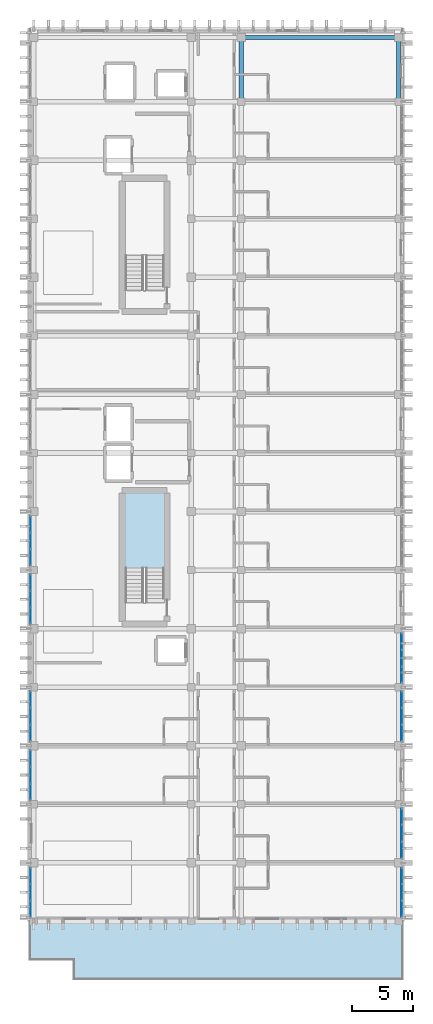
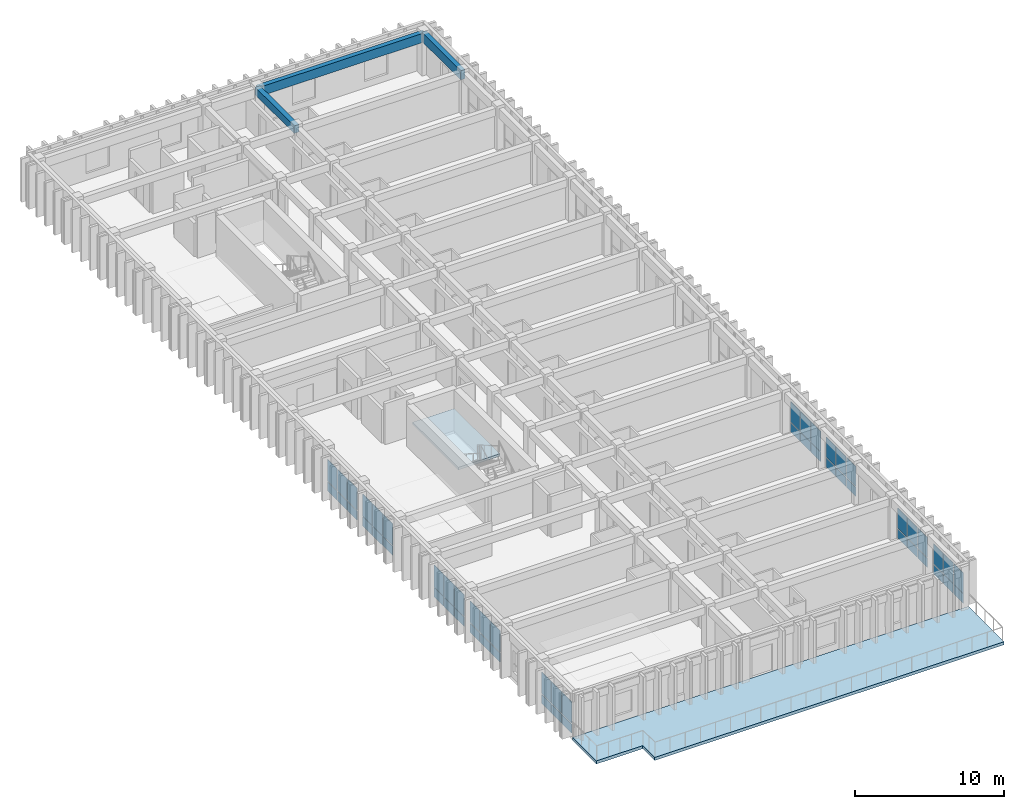
# One storey, part 41 of 53: 54 plates, 3 beams, 2 slabs, 10 elements without a shape of their own.
"""IFC4 building model written with IfcOpenShell, lengths in metres."""

from ifc_helpers import new_model, si_unit, direction, frame, origin, origin_2d, place, context, subcontext, project, spatial, polyline, rectangle, outline, extrude, material, layer, layer_set, material_profile, profile_set, type_object, element, aggregate, save


model = new_model("IFC4")

# Units and contexts
model_context = context("Model", 3, precision=1e-05, world=origin(), true_north=direction((0.0, 1.0)))
body_context = subcontext(model_context, "Body", "Model", "MODEL_VIEW")
ifc_project = project(units=[si_unit("LENGTHUNIT", "METRE"), si_unit("AREAUNIT", "SQUARE_METRE"), si_unit("VOLUMEUNIT", "CUBIC_METRE"), si_unit("PLANEANGLEUNIT", "RADIAN"), si_unit("MASSUNIT", "GRAM", prefix="KILO")], contexts=[model_context])

# Site, building, storey
site_placement = place(None, origin())
site = spatial("IfcSite", under=ifc_project, at=site_placement, CompositionType="ELEMENT")
building_placement = place(site_placement, origin())
building = spatial("IfcBuilding", under=site, at=building_placement, Name="Nakhvara Creek Congress Hotel", CompositionType="ELEMENT")
storey_placement = place(building_placement, frame((0.0, 0.0, 35.39990234375)))
storey = spatial("IfcBuildingStorey", under=building, at=storey_placement, Name="L08", CompositionType="ELEMENT", Elevation=35.39990234375)

# Beams
ifc_material_1 = material(Name="Concrete C40/50", Category="concrete")
ifc_material_profile_1 = material_profile(ifc_material_1, rectangle(XDim=0.3798828125, YDim=0.6201171875, at=origin_2d()), Name="RC-BM 380x620", Category="LoadBearing")
ifc_profile_set_1 = profile_set([ifc_material_profile_1], Name="Concrete C40/50")
beam_type_1 = type_object("IfcBeamType", Name="BM-RC-380X620", PredefinedType="BEAM", material=ifc_profile_set_1)
beam_1_placement = place(storey_placement, frame((166.449951171875, 120.0, 3.050048828125), z_axis=(0.0, 1.0, 0.0), x_axis=(-1.0, 0.0, 0.0)))
element("IfcBeam", 1, at=beam_1_placement, inside=storey, type_object=beam_type_1, Name="Beam B10-L08-2495", PredefinedType="BEAM", context=body_context, shape_type="SweptSolid", body=[
    extrude(rectangle(XDim=0.3798828125, YDim=0.6201171875, at=origin_2d()), origin(), (0.0, 0.0, 1.0), 5.25),
])
ifc_material_profile_2 = material_profile(ifc_material_1, rectangle(XDim=0.35009765625, YDim=0.75, at=origin_2d()), Name="RC-SPANDREL 350x750", Category="LoadBearing")
ifc_profile_set_2 = profile_set([ifc_material_profile_2], Name="Concrete C40/50")
beam_type_2 = type_object("IfcBeamType", Name="BM-SPN-350X750", PredefinedType="SPANDREL", material=ifc_profile_set_2)
beam_2_placement = place(storey_placement, frame((166.449951171875, 125.25, 2.985107421875), z_axis=(1.0, 0.0, 0.0), x_axis=(0.0, 1.0, 0.0)))
element("IfcBeam", 2, at=beam_2_placement, inside=storey, type_object=beam_type_2, Name="Beam SP1-L08-2494", PredefinedType="SPANDREL", context=body_context, shape_type="SweptSolid", body=[
    extrude(rectangle(XDim=0.35009765625, YDim=0.75, at=origin_2d()), origin(), (0.0, 0.0, 1.0), 12.900146484375),
])
beam_3_placement = place(storey_placement, frame((179.35009765625, 120.0, 2.985107421875), z_axis=(0.0, 1.0, 0.0), x_axis=(-1.0, 0.0, 0.0)))
element("IfcBeam", 3, at=beam_3_placement, inside=storey, type_object=beam_type_2, Name="Beam SP1-L08-2510", PredefinedType="SPANDREL", context=body_context, shape_type="SweptSolid", body=[
    extrude(rectangle(XDim=0.35009765625, YDim=0.75, at=origin_2d()), origin(), (0.0, 0.0, 1.0), 5.25),
])

# Curtain wall, plates
ifc_material_2 = material(Name="Bronze-anodised aluminium AW-6063-T6 and double-silver low-E glass", Category="aluminium")
ifc_layer_1 = layer(ifc_material_2, 0.199951171875)
ifc_layer_set_1 = layer_set([ifc_layer_1], Name="Bronze-anodised aluminium AW-6063-T6 and double-silver low-E glass")
curtain_wall_type = type_object("IfcCurtainWallType", Name="CW-HTL-UNIT", PredefinedType="USERDEFINED", material=ifc_layer_set_1)
curtain_wall_1_placement = place(storey_placement, origin())
curtain_wall_1 = element("IfcCurtainWall", 4, at=curtain_wall_1_placement, inside=storey, type_object=curtain_wall_type, Name="Curtain Wall CW275", ObjectType="UNITISED", PredefinedType="USERDEFINED")
ifc_material_3 = material(Name="Double-silver solar-control low-E insulated glass", Category="glass")
plate_type_1 = type_object("IfcPlateType", Name="PNL-GLZ-120X250", PredefinedType="CURTAIN_PANEL", material=ifc_material_3)
plate_1_placement = place(storey_placement, frame((179.60009765625, 56.54052734375, 0.065185546875), z_axis=(0.0, 0.0, 1.0), x_axis=(0.0, -1.0, 0.0)))
plate_1 = element("IfcPlate", 5, at=plate_1_placement, type_object=plate_type_1, Name="CW275 panel 1.1", PredefinedType="CURTAIN_PANEL", context=body_context, shape_type="SweptSolid", body=[
    extrude(rectangle(XDim=1.279052734375, YDim=0.028076171875, at=origin_2d()), origin(), (0.0, 0.0, 1.0), 0.75244140625),
])
plate_2_placement = place(storey_placement, frame((179.60009765625, 56.54052734375, 0.8828125), z_axis=(0.0, 0.0, 1.0), x_axis=(0.0, -1.0, 0.0)))
plate_2 = element("IfcPlate", 6, at=plate_2_placement, type_object=plate_type_1, Name="CW275 panel 1.2", PredefinedType="CURTAIN_PANEL", context=body_context, shape_type="SweptSolid", body=[
    extrude(rectangle(XDim=1.279052734375, YDim=0.028076171875, at=origin_2d()), origin(), (0.0, 0.0, 1.0), 1.654541015625),
])
plate_3_placement = place(storey_placement, frame((179.60009765625, 55.179931640625, 0.065185546875), z_axis=(0.0, 0.0, 1.0), x_axis=(0.0, -1.0, 0.0)))
plate_3 = element("IfcPlate", 7, at=plate_3_placement, type_object=plate_type_1, Name="CW275 panel 2.1", PredefinedType="CURTAIN_PANEL", context=body_context, shape_type="SweptSolid", body=[
    extrude(rectangle(XDim=1.311767578125, YDim=0.028076171875, at=origin_2d()), origin(), (0.0, 0.0, 1.0), 0.75244140625),
])
plate_4_placement = place(storey_placement, frame((179.60009765625, 55.179931640625, 0.8828125), z_axis=(0.0, 0.0, 1.0), x_axis=(0.0, -1.0, 0.0)))
plate_4 = element("IfcPlate", 8, at=plate_4_placement, type_object=plate_type_1, Name="CW275 panel 2.2", PredefinedType="CURTAIN_PANEL", context=body_context, shape_type="SweptSolid", body=[
    extrude(rectangle(XDim=1.311767578125, YDim=0.028076171875, at=origin_2d()), origin(), (0.0, 0.0, 1.0), 1.654541015625),
])
plate_5_placement = place(storey_placement, frame((179.60009765625, 53.819580078125, 0.065185546875), z_axis=(0.0, 0.0, 1.0), x_axis=(0.0, -1.0, 0.0)))
plate_5 = element("IfcPlate", 9, at=plate_5_placement, type_object=plate_type_1, Name="CW275 panel 3.1", PredefinedType="CURTAIN_PANEL", context=body_context, shape_type="SweptSolid", body=[
    extrude(rectangle(XDim=1.279052734375, YDim=0.028076171875, at=origin_2d()), origin(), (0.0, 0.0, 1.0), 0.75244140625),
])
plate_6_placement = place(storey_placement, frame((179.60009765625, 53.819580078125, 0.8828125), z_axis=(0.0, 0.0, 1.0), x_axis=(0.0, -1.0, 0.0)))
plate_6 = element("IfcPlate", 10, at=plate_6_placement, type_object=plate_type_1, Name="CW275 panel 3.2", PredefinedType="CURTAIN_PANEL", context=body_context, shape_type="SweptSolid", body=[
    extrude(rectangle(XDim=1.279052734375, YDim=0.028076171875, at=origin_2d()), origin(), (0.0, 0.0, 1.0), 1.654541015625),
])
aggregate(curtain_wall_1, [plate_1, plate_2, plate_3, plate_4, plate_5, plate_6])

curtain_wall_2_placement = place(storey_placement, origin())
curtain_wall_2 = element("IfcCurtainWall", 11, at=curtain_wall_2_placement, inside=storey, type_object=curtain_wall_type, Name="Curtain Wall CW276", ObjectType="UNITISED", PredefinedType="USERDEFINED")
plate_7_placement = place(storey_placement, frame((149.199951171875, 53.819580078125, 0.065185546875), z_axis=(0.0, 0.0, 1.0), x_axis=(0.0, 1.0, 0.0)))
plate_7 = element("IfcPlate", 12, at=plate_7_placement, type_object=plate_type_1, Name="CW276 panel 1.1", PredefinedType="CURTAIN_PANEL", context=body_context, shape_type="SweptSolid", body=[
    extrude(rectangle(XDim=1.279052734375, YDim=0.028076171875, at=origin_2d()), origin(), (0.0, 0.0, 1.0), 0.75244140625),
])
plate_8_placement = place(storey_placement, frame((149.199951171875, 53.819580078125, 0.8828125), z_axis=(0.0, 0.0, 1.0), x_axis=(0.0, 1.0, 0.0)))
plate_8 = element("IfcPlate", 13, at=plate_8_placement, type_object=plate_type_1, Name="CW276 panel 1.2", PredefinedType="CURTAIN_PANEL", context=body_context, shape_type="SweptSolid", body=[
    extrude(rectangle(XDim=1.279052734375, YDim=0.028076171875, at=origin_2d()), origin(), (0.0, 0.0, 1.0), 1.784423828125),
])
plate_9_placement = place(storey_placement, frame((149.199951171875, 55.179931640625, 0.065185546875), z_axis=(0.0, 0.0, 1.0), x_axis=(0.0, 1.0, 0.0)))
plate_9 = element("IfcPlate", 14, at=plate_9_placement, type_object=plate_type_1, Name="CW276 panel 2.1", PredefinedType="CURTAIN_PANEL", context=body_context, shape_type="SweptSolid", body=[
    extrude(rectangle(XDim=1.311767578125, YDim=0.028076171875, at=origin_2d()), origin(), (0.0, 0.0, 1.0), 0.75244140625),
])
plate_10_placement = place(storey_placement, frame((149.199951171875, 55.179931640625, 0.8828125), z_axis=(0.0, 0.0, 1.0), x_axis=(0.0, 1.0, 0.0)))
plate_10 = element("IfcPlate", 15, at=plate_10_placement, type_object=plate_type_1, Name="CW276 panel 2.2", PredefinedType="CURTAIN_PANEL", context=body_context, shape_type="SweptSolid", body=[
    extrude(rectangle(XDim=1.311767578125, YDim=0.028076171875, at=origin_2d()), origin(), (0.0, 0.0, 1.0), 1.784423828125),
])
plate_11_placement = place(storey_placement, frame((149.199951171875, 56.54052734375, 0.065185546875), z_axis=(0.0, 0.0, 1.0), x_axis=(0.0, 1.0, 0.0)))
plate_11 = element("IfcPlate", 16, at=plate_11_placement, type_object=plate_type_1, Name="CW276 panel 3.1", PredefinedType="CURTAIN_PANEL", context=body_context, shape_type="SweptSolid", body=[
    extrude(rectangle(XDim=1.279052734375, YDim=0.028076171875, at=origin_2d()), origin(), (0.0, 0.0, 1.0), 0.75244140625),
])
plate_12_placement = place(storey_placement, frame((149.199951171875, 56.54052734375, 0.8828125), z_axis=(0.0, 0.0, 1.0), x_axis=(0.0, 1.0, 0.0)))
plate_12 = element("IfcPlate", 17, at=plate_12_placement, type_object=plate_type_1, Name="CW276 panel 3.2", PredefinedType="CURTAIN_PANEL", context=body_context, shape_type="SweptSolid", body=[
    extrude(rectangle(XDim=1.279052734375, YDim=0.028076171875, at=origin_2d()), origin(), (0.0, 0.0, 1.0), 1.784423828125),
])
aggregate(curtain_wall_2, [plate_7, plate_8, plate_9, plate_10, plate_11, plate_12])

curtain_wall_3_placement = place(storey_placement, origin())
curtain_wall_3 = element("IfcCurtainWall", 18, at=curtain_wall_3_placement, inside=storey, type_object=curtain_wall_type, Name="Curtain Wall CW277", ObjectType="UNITISED", PredefinedType="USERDEFINED")
plate_13_placement = place(storey_placement, frame((179.60009765625, 61.38037109375, 0.065185546875), z_axis=(0.0, 0.0, 1.0), x_axis=(0.0, -1.0, 0.0)))
plate_13 = element("IfcPlate", 19, at=plate_13_placement, type_object=plate_type_1, Name="CW277 panel 1.1", PredefinedType="CURTAIN_PANEL", context=body_context, shape_type="SweptSolid", body=[
    extrude(rectangle(XDim=1.279052734375, YDim=0.028076171875, at=origin_2d()), origin(), (0.0, 0.0, 1.0), 0.75244140625),
])
plate_14_placement = place(storey_placement, frame((179.60009765625, 61.38037109375, 0.8828125), z_axis=(0.0, 0.0, 1.0), x_axis=(0.0, -1.0, 0.0)))
plate_14 = element("IfcPlate", 20, at=plate_14_placement, type_object=plate_type_1, Name="CW277 panel 1.2", PredefinedType="CURTAIN_PANEL", context=body_context, shape_type="SweptSolid", body=[
    extrude(rectangle(XDim=1.279052734375, YDim=0.028076171875, at=origin_2d()), origin(), (0.0, 0.0, 1.0), 1.654541015625),
])
plate_15_placement = place(storey_placement, frame((179.60009765625, 60.02001953125, 0.065185546875), z_axis=(0.0, 0.0, 1.0), x_axis=(0.0, -1.0, 0.0)))
plate_15 = element("IfcPlate", 21, at=plate_15_placement, type_object=plate_type_1, Name="CW277 panel 2.1", PredefinedType="CURTAIN_PANEL", context=body_context, shape_type="SweptSolid", body=[
    extrude(rectangle(XDim=1.311767578125, YDim=0.028076171875, at=origin_2d()), origin(), (0.0, 0.0, 1.0), 0.75244140625),
])
plate_16_placement = place(storey_placement, frame((179.60009765625, 60.02001953125, 0.8828125), z_axis=(0.0, 0.0, 1.0), x_axis=(0.0, -1.0, 0.0)))
plate_16 = element("IfcPlate", 22, at=plate_16_placement, type_object=plate_type_1, Name="CW277 panel 2.2", PredefinedType="CURTAIN_PANEL", context=body_context, shape_type="SweptSolid", body=[
    extrude(rectangle(XDim=1.311767578125, YDim=0.028076171875, at=origin_2d()), origin(), (0.0, 0.0, 1.0), 1.654541015625),
])
plate_17_placement = place(storey_placement, frame((179.60009765625, 58.65966796875, 0.065185546875), z_axis=(0.0, 0.0, 1.0), x_axis=(0.0, -1.0, 0.0)))
plate_17 = element("IfcPlate", 23, at=plate_17_placement, type_object=plate_type_1, Name="CW277 panel 3.1", PredefinedType="CURTAIN_PANEL", context=body_context, shape_type="SweptSolid", body=[
    extrude(rectangle(XDim=1.279052734375, YDim=0.028076171875, at=origin_2d()), origin(), (0.0, 0.0, 1.0), 0.75244140625),
])
plate_18_placement = place(storey_placement, frame((179.60009765625, 58.65966796875, 0.8828125), z_axis=(0.0, 0.0, 1.0), x_axis=(0.0, -1.0, 0.0)))
plate_18 = element("IfcPlate", 24, at=plate_18_placement, type_object=plate_type_1, Name="CW277 panel 3.2", PredefinedType="CURTAIN_PANEL", context=body_context, shape_type="SweptSolid", body=[
    extrude(rectangle(XDim=1.279052734375, YDim=0.028076171875, at=origin_2d()), origin(), (0.0, 0.0, 1.0), 1.654541015625),
])
aggregate(curtain_wall_3, [plate_13, plate_14, plate_15, plate_16, plate_17, plate_18])

curtain_wall_4_placement = place(storey_placement, origin())
curtain_wall_4 = element("IfcCurtainWall", 25, at=curtain_wall_4_placement, inside=storey, type_object=curtain_wall_type, Name="Curtain Wall CW278", ObjectType="UNITISED", PredefinedType="USERDEFINED")
plate_19_placement = place(storey_placement, frame((149.199951171875, 63.419677734375, 0.065185546875), z_axis=(0.0, 0.0, 1.0), x_axis=(0.0, 1.0, 0.0)))
plate_19 = element("IfcPlate", 26, at=plate_19_placement, type_object=plate_type_1, Name="CW278 panel 1.1", PredefinedType="CURTAIN_PANEL", context=body_context, shape_type="SweptSolid", body=[
    extrude(rectangle(XDim=1.279052734375, YDim=0.028076171875, at=origin_2d()), origin(), (0.0, 0.0, 1.0), 0.75244140625),
])
plate_20_placement = place(storey_placement, frame((149.199951171875, 63.419677734375, 0.8828125), z_axis=(0.0, 0.0, 1.0), x_axis=(0.0, 1.0, 0.0)))
plate_20 = element("IfcPlate", 27, at=plate_20_placement, type_object=plate_type_1, Name="CW278 panel 1.2", PredefinedType="CURTAIN_PANEL", context=body_context, shape_type="SweptSolid", body=[
    extrude(rectangle(XDim=1.279052734375, YDim=0.028076171875, at=origin_2d()), origin(), (0.0, 0.0, 1.0), 1.784423828125),
])
plate_21_placement = place(storey_placement, frame((149.199951171875, 64.780029296875, 0.065185546875), z_axis=(0.0, 0.0, 1.0), x_axis=(0.0, 1.0, 0.0)))
plate_21 = element("IfcPlate", 28, at=plate_21_placement, type_object=plate_type_1, Name="CW278 panel 2.1", PredefinedType="CURTAIN_PANEL", context=body_context, shape_type="SweptSolid", body=[
    extrude(rectangle(XDim=1.311767578125, YDim=0.028076171875, at=origin_2d()), origin(), (0.0, 0.0, 1.0), 0.75244140625),
])
plate_22_placement = place(storey_placement, frame((149.199951171875, 64.780029296875, 0.8828125), z_axis=(0.0, 0.0, 1.0), x_axis=(0.0, 1.0, 0.0)))
plate_22 = element("IfcPlate", 29, at=plate_22_placement, type_object=plate_type_1, Name="CW278 panel 2.2", PredefinedType="CURTAIN_PANEL", context=body_context, shape_type="SweptSolid", body=[
    extrude(rectangle(XDim=1.311767578125, YDim=0.028076171875, at=origin_2d()), origin(), (0.0, 0.0, 1.0), 1.784423828125),
])
plate_23_placement = place(storey_placement, frame((149.199951171875, 66.140380859375, 0.065185546875), z_axis=(0.0, 0.0, 1.0), x_axis=(0.0, 1.0, 0.0)))
plate_23 = element("IfcPlate", 30, at=plate_23_placement, type_object=plate_type_1, Name="CW278 panel 3.1", PredefinedType="CURTAIN_PANEL", context=body_context, shape_type="SweptSolid", body=[
    extrude(rectangle(XDim=1.279052734375, YDim=0.028076171875, at=origin_2d()), origin(), (0.0, 0.0, 1.0), 0.75244140625),
])
plate_24_placement = place(storey_placement, frame((149.199951171875, 66.140380859375, 0.8828125), z_axis=(0.0, 0.0, 1.0), x_axis=(0.0, 1.0, 0.0)))
plate_24 = element("IfcPlate", 31, at=plate_24_placement, type_object=plate_type_1, Name="CW278 panel 3.2", PredefinedType="CURTAIN_PANEL", context=body_context, shape_type="SweptSolid", body=[
    extrude(rectangle(XDim=1.279052734375, YDim=0.028076171875, at=origin_2d()), origin(), (0.0, 0.0, 1.0), 1.784423828125),
])
aggregate(curtain_wall_4, [plate_19, plate_20, plate_21, plate_22, plate_23, plate_24])

curtain_wall_5_placement = place(storey_placement, origin())
curtain_wall_5 = element("IfcCurtainWall", 32, at=curtain_wall_5_placement, inside=storey, type_object=curtain_wall_type, Name="Curtain Wall CW279", ObjectType="UNITISED", PredefinedType="USERDEFINED")
plate_25_placement = place(storey_placement, frame((179.60009765625, 70.98046875, 0.065185546875), z_axis=(0.0, 0.0, 1.0), x_axis=(0.0, -1.0, 0.0)))
plate_25 = element("IfcPlate", 33, at=plate_25_placement, type_object=plate_type_1, Name="CW279 panel 1.1", PredefinedType="CURTAIN_PANEL", context=body_context, shape_type="SweptSolid", body=[
    extrude(rectangle(XDim=1.279052734375, YDim=0.028076171875, at=origin_2d()), origin(), (0.0, 0.0, 1.0), 0.75244140625),
])
plate_26_placement = place(storey_placement, frame((179.60009765625, 70.98046875, 0.8828125), z_axis=(0.0, 0.0, 1.0), x_axis=(0.0, -1.0, 0.0)))
plate_26 = element("IfcPlate", 34, at=plate_26_placement, type_object=plate_type_1, Name="CW279 panel 1.2", PredefinedType="CURTAIN_PANEL", context=body_context, shape_type="SweptSolid", body=[
    extrude(rectangle(XDim=1.279052734375, YDim=0.028076171875, at=origin_2d()), origin(), (0.0, 0.0, 1.0), 1.654541015625),
])
plate_27_placement = place(storey_placement, frame((179.60009765625, 69.6201171875, 0.065185546875), z_axis=(0.0, 0.0, 1.0), x_axis=(0.0, -1.0, 0.0)))
plate_27 = element("IfcPlate", 35, at=plate_27_placement, type_object=plate_type_1, Name="CW279 panel 2.1", PredefinedType="CURTAIN_PANEL", context=body_context, shape_type="SweptSolid", body=[
    extrude(rectangle(XDim=1.311767578125, YDim=0.028076171875, at=origin_2d()), origin(), (0.0, 0.0, 1.0), 0.75244140625),
])
plate_28_placement = place(storey_placement, frame((179.60009765625, 69.6201171875, 0.8828125), z_axis=(0.0, 0.0, 1.0), x_axis=(0.0, -1.0, 0.0)))
plate_28 = element("IfcPlate", 36, at=plate_28_placement, type_object=plate_type_1, Name="CW279 panel 2.2", PredefinedType="CURTAIN_PANEL", context=body_context, shape_type="SweptSolid", body=[
    extrude(rectangle(XDim=1.311767578125, YDim=0.028076171875, at=origin_2d()), origin(), (0.0, 0.0, 1.0), 1.654541015625),
])
plate_29_placement = place(storey_placement, frame((179.60009765625, 68.259521484375, 0.065185546875), z_axis=(0.0, 0.0, 1.0), x_axis=(0.0, -1.0, 0.0)))
plate_29 = element("IfcPlate", 37, at=plate_29_placement, type_object=plate_type_1, Name="CW279 panel 3.1", PredefinedType="CURTAIN_PANEL", context=body_context, shape_type="SweptSolid", body=[
    extrude(rectangle(XDim=1.279052734375, YDim=0.028076171875, at=origin_2d()), origin(), (0.0, 0.0, 1.0), 0.75244140625),
])
plate_30_placement = place(storey_placement, frame((179.60009765625, 68.259521484375, 0.8828125), z_axis=(0.0, 0.0, 1.0), x_axis=(0.0, -1.0, 0.0)))
plate_30 = element("IfcPlate", 38, at=plate_30_placement, type_object=plate_type_1, Name="CW279 panel 3.2", PredefinedType="CURTAIN_PANEL", context=body_context, shape_type="SweptSolid", body=[
    extrude(rectangle(XDim=1.279052734375, YDim=0.028076171875, at=origin_2d()), origin(), (0.0, 0.0, 1.0), 1.654541015625),
])
aggregate(curtain_wall_5, [plate_25, plate_26, plate_27, plate_28, plate_29, plate_30])

curtain_wall_6_placement = place(storey_placement, origin())
curtain_wall_6 = element("IfcCurtainWall", 39, at=curtain_wall_6_placement, inside=storey, type_object=curtain_wall_type, Name="Curtain Wall CW280", ObjectType="UNITISED", PredefinedType="USERDEFINED")
plate_31_placement = place(storey_placement, frame((149.199951171875, 68.259521484375, 0.065185546875), z_axis=(0.0, 0.0, 1.0), x_axis=(0.0, 1.0, 0.0)))
plate_31 = element("IfcPlate", 40, at=plate_31_placement, type_object=plate_type_1, Name="CW280 panel 1.1", PredefinedType="CURTAIN_PANEL", context=body_context, shape_type="SweptSolid", body=[
    extrude(rectangle(XDim=1.279052734375, YDim=0.028076171875, at=origin_2d()), origin(), (0.0, 0.0, 1.0), 0.75244140625),
])
plate_32_placement = place(storey_placement, frame((149.199951171875, 68.259521484375, 0.8828125), z_axis=(0.0, 0.0, 1.0), x_axis=(0.0, 1.0, 0.0)))
plate_32 = element("IfcPlate", 41, at=plate_32_placement, type_object=plate_type_1, Name="CW280 panel 1.2", PredefinedType="CURTAIN_PANEL", context=body_context, shape_type="SweptSolid", body=[
    extrude(rectangle(XDim=1.279052734375, YDim=0.028076171875, at=origin_2d()), origin(), (0.0, 0.0, 1.0), 1.784423828125),
])
plate_33_placement = place(storey_placement, frame((149.199951171875, 69.6201171875, 0.065185546875), z_axis=(0.0, 0.0, 1.0), x_axis=(0.0, 1.0, 0.0)))
plate_33 = element("IfcPlate", 42, at=plate_33_placement, type_object=plate_type_1, Name="CW280 panel 2.1", PredefinedType="CURTAIN_PANEL", context=body_context, shape_type="SweptSolid", body=[
    extrude(rectangle(XDim=1.311767578125, YDim=0.028076171875, at=origin_2d()), origin(), (0.0, 0.0, 1.0), 0.75244140625),
])
plate_34_placement = place(storey_placement, frame((149.199951171875, 69.6201171875, 0.8828125), z_axis=(0.0, 0.0, 1.0), x_axis=(0.0, 1.0, 0.0)))
plate_34 = element("IfcPlate", 43, at=plate_34_placement, type_object=plate_type_1, Name="CW280 panel 2.2", PredefinedType="CURTAIN_PANEL", context=body_context, shape_type="SweptSolid", body=[
    extrude(rectangle(XDim=1.311767578125, YDim=0.028076171875, at=origin_2d()), origin(), (0.0, 0.0, 1.0), 1.784423828125),
])
plate_35_placement = place(storey_placement, frame((149.199951171875, 70.98046875, 0.065185546875), z_axis=(0.0, 0.0, 1.0), x_axis=(0.0, 1.0, 0.0)))
plate_35 = element("IfcPlate", 44, at=plate_35_placement, type_object=plate_type_1, Name="CW280 panel 3.1", PredefinedType="CURTAIN_PANEL", context=body_context, shape_type="SweptSolid", body=[
    extrude(rectangle(XDim=1.279052734375, YDim=0.028076171875, at=origin_2d()), origin(), (0.0, 0.0, 1.0), 0.75244140625),
])
plate_36_placement = place(storey_placement, frame((149.199951171875, 70.98046875, 0.8828125), z_axis=(0.0, 0.0, 1.0), x_axis=(0.0, 1.0, 0.0)))
plate_36 = element("IfcPlate", 45, at=plate_36_placement, type_object=plate_type_1, Name="CW280 panel 3.2", PredefinedType="CURTAIN_PANEL", context=body_context, shape_type="SweptSolid", body=[
    extrude(rectangle(XDim=1.279052734375, YDim=0.028076171875, at=origin_2d()), origin(), (0.0, 0.0, 1.0), 1.784423828125),
])
aggregate(curtain_wall_6, [plate_31, plate_32, plate_33, plate_34, plate_35, plate_36])

curtain_wall_7_placement = place(storey_placement, origin())
curtain_wall_7 = element("IfcCurtainWall", 46, at=curtain_wall_7_placement, inside=storey, type_object=curtain_wall_type, Name="Curtain Wall CW282", ObjectType="UNITISED", PredefinedType="USERDEFINED")
plate_37_placement = place(storey_placement, frame((149.199951171875, 77.859619140625, 0.065185546875), z_axis=(0.0, 0.0, 1.0), x_axis=(0.0, 1.0, 0.0)))
plate_37 = element("IfcPlate", 47, at=plate_37_placement, type_object=plate_type_1, Name="CW282 panel 1.1", PredefinedType="CURTAIN_PANEL", context=body_context, shape_type="SweptSolid", body=[
    extrude(rectangle(XDim=1.279052734375, YDim=0.028076171875, at=origin_2d()), origin(), (0.0, 0.0, 1.0), 0.75244140625),
])
plate_38_placement = place(storey_placement, frame((149.199951171875, 77.859619140625, 0.8828125), z_axis=(0.0, 0.0, 1.0), x_axis=(0.0, 1.0, 0.0)))
plate_38 = element("IfcPlate", 48, at=plate_38_placement, type_object=plate_type_1, Name="CW282 panel 1.2", PredefinedType="CURTAIN_PANEL", context=body_context, shape_type="SweptSolid", body=[
    extrude(rectangle(XDim=1.279052734375, YDim=0.028076171875, at=origin_2d()), origin(), (0.0, 0.0, 1.0), 1.784423828125),
])
plate_39_placement = place(storey_placement, frame((149.199951171875, 79.219970703125, 0.065185546875), z_axis=(0.0, 0.0, 1.0), x_axis=(0.0, 1.0, 0.0)))
plate_39 = element("IfcPlate", 49, at=plate_39_placement, type_object=plate_type_1, Name="CW282 panel 2.1", PredefinedType="CURTAIN_PANEL", context=body_context, shape_type="SweptSolid", body=[
    extrude(rectangle(XDim=1.311767578125, YDim=0.028076171875, at=origin_2d()), origin(), (0.0, 0.0, 1.0), 0.75244140625),
])
plate_40_placement = place(storey_placement, frame((149.199951171875, 79.219970703125, 0.8828125), z_axis=(0.0, 0.0, 1.0), x_axis=(0.0, 1.0, 0.0)))
plate_40 = element("IfcPlate", 50, at=plate_40_placement, type_object=plate_type_1, Name="CW282 panel 2.2", PredefinedType="CURTAIN_PANEL", context=body_context, shape_type="SweptSolid", body=[
    extrude(rectangle(XDim=1.311767578125, YDim=0.028076171875, at=origin_2d()), origin(), (0.0, 0.0, 1.0), 1.784423828125),
])
plate_41_placement = place(storey_placement, frame((149.199951171875, 80.580322265625, 0.065185546875), z_axis=(0.0, 0.0, 1.0), x_axis=(0.0, 1.0, 0.0)))
plate_41 = element("IfcPlate", 51, at=plate_41_placement, type_object=plate_type_1, Name="CW282 panel 3.1", PredefinedType="CURTAIN_PANEL", context=body_context, shape_type="SweptSolid", body=[
    extrude(rectangle(XDim=1.279052734375, YDim=0.028076171875, at=origin_2d()), origin(), (0.0, 0.0, 1.0), 0.75244140625),
])
plate_42_placement = place(storey_placement, frame((149.199951171875, 80.580322265625, 0.8828125), z_axis=(0.0, 0.0, 1.0), x_axis=(0.0, 1.0, 0.0)))
plate_42 = element("IfcPlate", 52, at=plate_42_placement, type_object=plate_type_1, Name="CW282 panel 3.2", PredefinedType="CURTAIN_PANEL", context=body_context, shape_type="SweptSolid", body=[
    extrude(rectangle(XDim=1.279052734375, YDim=0.028076171875, at=origin_2d()), origin(), (0.0, 0.0, 1.0), 1.784423828125),
])
aggregate(curtain_wall_7, [plate_37, plate_38, plate_39, plate_40, plate_41, plate_42])

curtain_wall_8_placement = place(storey_placement, origin())
curtain_wall_8 = element("IfcCurtainWall", 53, at=curtain_wall_8_placement, inside=storey, type_object=curtain_wall_type, Name="Curtain Wall CW284", ObjectType="UNITISED", PredefinedType="USERDEFINED")
plate_43_placement = place(storey_placement, frame((149.199951171875, 82.61962890625, 0.065185546875), z_axis=(0.0, 0.0, 1.0), x_axis=(0.0, 1.0, 0.0)))
plate_43 = element("IfcPlate", 54, at=plate_43_placement, type_object=plate_type_1, Name="CW284 panel 1.1", PredefinedType="CURTAIN_PANEL", context=body_context, shape_type="SweptSolid", body=[
    extrude(rectangle(XDim=1.279052734375, YDim=0.028076171875, at=origin_2d()), origin(), (0.0, 0.0, 1.0), 0.75244140625),
])
plate_44_placement = place(storey_placement, frame((149.199951171875, 82.61962890625, 0.8828125), z_axis=(0.0, 0.0, 1.0), x_axis=(0.0, 1.0, 0.0)))
plate_44 = element("IfcPlate", 55, at=plate_44_placement, type_object=plate_type_1, Name="CW284 panel 1.2", PredefinedType="CURTAIN_PANEL", context=body_context, shape_type="SweptSolid", body=[
    extrude(rectangle(XDim=1.279052734375, YDim=0.028076171875, at=origin_2d()), origin(), (0.0, 0.0, 1.0), 1.784423828125),
])
plate_45_placement = place(storey_placement, frame((149.199951171875, 83.97998046875, 0.065185546875), z_axis=(0.0, 0.0, 1.0), x_axis=(0.0, 1.0, 0.0)))
plate_45 = element("IfcPlate", 56, at=plate_45_placement, type_object=plate_type_1, Name="CW284 panel 2.1", PredefinedType="CURTAIN_PANEL", context=body_context, shape_type="SweptSolid", body=[
    extrude(rectangle(XDim=1.311767578125, YDim=0.028076171875, at=origin_2d()), origin(), (0.0, 0.0, 1.0), 0.75244140625),
])
plate_46_placement = place(storey_placement, frame((149.199951171875, 83.97998046875, 0.8828125), z_axis=(0.0, 0.0, 1.0), x_axis=(0.0, 1.0, 0.0)))
plate_46 = element("IfcPlate", 57, at=plate_46_placement, type_object=plate_type_1, Name="CW284 panel 2.2", PredefinedType="CURTAIN_PANEL", context=body_context, shape_type="SweptSolid", body=[
    extrude(rectangle(XDim=1.311767578125, YDim=0.028076171875, at=origin_2d()), origin(), (0.0, 0.0, 1.0), 1.784423828125),
])
plate_47_placement = place(storey_placement, frame((149.199951171875, 85.34033203125, 0.065185546875), z_axis=(0.0, 0.0, 1.0), x_axis=(0.0, 1.0, 0.0)))
plate_47 = element("IfcPlate", 58, at=plate_47_placement, type_object=plate_type_1, Name="CW284 panel 3.1", PredefinedType="CURTAIN_PANEL", context=body_context, shape_type="SweptSolid", body=[
    extrude(rectangle(XDim=1.279052734375, YDim=0.028076171875, at=origin_2d()), origin(), (0.0, 0.0, 1.0), 0.75244140625),
])
plate_48_placement = place(storey_placement, frame((149.199951171875, 85.34033203125, 0.8828125), z_axis=(0.0, 0.0, 1.0), x_axis=(0.0, 1.0, 0.0)))
plate_48 = element("IfcPlate", 59, at=plate_48_placement, type_object=plate_type_1, Name="CW284 panel 3.2", PredefinedType="CURTAIN_PANEL", context=body_context, shape_type="SweptSolid", body=[
    extrude(rectangle(XDim=1.279052734375, YDim=0.028076171875, at=origin_2d()), origin(), (0.0, 0.0, 1.0), 1.784423828125),
])
aggregate(curtain_wall_8, [plate_43, plate_44, plate_45, plate_46, plate_47, plate_48])

curtain_wall_9_placement = place(storey_placement, origin())
curtain_wall_9 = element("IfcCurtainWall", 60, at=curtain_wall_9_placement, inside=storey, type_object=curtain_wall_type, Name="Curtain Wall CW281", ObjectType="UNITISED", PredefinedType="USERDEFINED")
ifc_material_4 = material(Name="Back-insulated bronze spandrel glass panel", Category="glass")
plate_type_2 = type_object("IfcPlateType", Name="PNL-SPN-120X080", PredefinedType="CURTAIN_PANEL", material=ifc_material_4)
plate_49_placement = place(storey_placement, frame((179.60009765625, 75.740478515625, 0.065185546875), z_axis=(0.0, 0.0, 1.0), x_axis=(0.0, -1.0, 0.0)))
plate_49 = element("IfcPlate", 61, at=plate_49_placement, type_object=plate_type_2, Name="CW281 panel 1.1", PredefinedType="CURTAIN_PANEL", context=body_context, shape_type="SweptSolid", body=[
    extrude(rectangle(XDim=1.279052734375, YDim=0.0419921875, at=origin_2d()), origin(), (0.0, 0.0, 1.0), 0.75244140625),
])
plate_50_placement = place(storey_placement, frame((179.60009765625, 75.740478515625, 0.8828125), z_axis=(0.0, 0.0, 1.0), x_axis=(0.0, -1.0, 0.0)))
plate_50 = element("IfcPlate", 62, at=plate_50_placement, type_object=plate_type_2, Name="CW281 panel 1.2", PredefinedType="CURTAIN_PANEL", context=body_context, shape_type="SweptSolid", body=[
    extrude(rectangle(XDim=1.279052734375, YDim=0.0419921875, at=origin_2d()), origin(), (0.0, 0.0, 1.0), 1.654541015625),
])
plate_51_placement = place(storey_placement, frame((179.60009765625, 74.3798828125, 0.065185546875), z_axis=(0.0, 0.0, 1.0), x_axis=(0.0, -1.0, 0.0)))
plate_51 = element("IfcPlate", 63, at=plate_51_placement, type_object=plate_type_2, Name="CW281 panel 2.1", PredefinedType="CURTAIN_PANEL", context=body_context, shape_type="SweptSolid", body=[
    extrude(rectangle(XDim=1.311767578125, YDim=0.0419921875, at=origin_2d()), origin(), (0.0, 0.0, 1.0), 0.75244140625),
])
plate_52_placement = place(storey_placement, frame((179.60009765625, 74.3798828125, 0.8828125), z_axis=(0.0, 0.0, 1.0), x_axis=(0.0, -1.0, 0.0)))
plate_52 = element("IfcPlate", 64, at=plate_52_placement, type_object=plate_type_2, Name="CW281 panel 2.2", PredefinedType="CURTAIN_PANEL", context=body_context, shape_type="SweptSolid", body=[
    extrude(rectangle(XDim=1.311767578125, YDim=0.0419921875, at=origin_2d()), origin(), (0.0, 0.0, 1.0), 1.654541015625),
])
plate_53_placement = place(storey_placement, frame((179.60009765625, 73.01953125, 0.065185546875), z_axis=(0.0, 0.0, 1.0), x_axis=(0.0, -1.0, 0.0)))
plate_53 = element("IfcPlate", 65, at=plate_53_placement, type_object=plate_type_2, Name="CW281 panel 3.1", PredefinedType="CURTAIN_PANEL", context=body_context, shape_type="SweptSolid", body=[
    extrude(rectangle(XDim=1.279052734375, YDim=0.0419921875, at=origin_2d()), origin(), (0.0, 0.0, 1.0), 0.75244140625),
])
plate_54_placement = place(storey_placement, frame((179.60009765625, 73.01953125, 0.8828125), z_axis=(0.0, 0.0, 1.0), x_axis=(0.0, -1.0, 0.0)))
plate_54 = element("IfcPlate", 66, at=plate_54_placement, type_object=plate_type_2, Name="CW281 panel 3.2", PredefinedType="CURTAIN_PANEL", context=body_context, shape_type="SweptSolid", body=[
    extrude(rectangle(XDim=1.279052734375, YDim=0.0419921875, at=origin_2d()), origin(), (0.0, 0.0, 1.0), 1.654541015625),
])
aggregate(curtain_wall_9, [plate_49, plate_50, plate_51, plate_52, plate_53, plate_54])

# Slab
ifc_layer_2 = layer(ifc_material_1, 0.25)
ifc_layer_set_2 = layer_set([ifc_layer_2], Name="Concrete C40/50")
slab_type_1 = type_object("IfcSlabType", Name="SL-EXT-250", PredefinedType="FLOOR", material=ifc_layer_set_2)
slab_1_placement = place(storey_placement, frame((0.0, 0.0, -0.25)))
element("IfcSlab", 67, at=slab_1_placement, inside=storey, type_object=slab_type_1, Name="Outdoor Terrace Slab SLB-L08-TER-S", PredefinedType="FLOOR", context=body_context, shape_type="SweptSolid", body=[
    extrude(outline(polyline([(152.64990234375, 48.0), (179.75, 48.0), (179.75, 52.800048828125), (149.050048828125, 52.800048828125), (149.050048828125, 49.60009765625), (152.64990234375, 49.60009765625), (152.64990234375, 48.0)])), origin(), (0.0, 0.0, 1.0), 0.25),
])

# Stair, slab
stair_type = type_object("IfcStairType", Name="ST-CORE-160", PredefinedType="HALF_TURN_STAIR", material=ifc_material_1)
stair_placement = place(storey_placement, origin())
stair = element("IfcStair", 68, at=stair_placement, inside=storey, type_object=stair_type, Name="L08 Protected Exit Stair ST01", PredefinedType="HALF_TURN_STAIR")
ifc_layer_3 = layer(ifc_material_1, 0.199951171875)
ifc_layer_set_3 = layer_set([ifc_layer_3], Name="Concrete C40/50")
slab_type_2 = type_object("IfcSlabType", Name="SL-LAND-200", PredefinedType="LANDING", material=ifc_layer_set_3)
slab_2_placement = place(storey_placement, frame((0.0, 0.0, 1.60009765625)))
slab_2 = element("IfcSlab", 69, at=slab_2_placement, type_object=slab_type_2, Name="ST01 landing 1", PredefinedType="LANDING", context=body_context, shape_type="SweptSolid", body=[
    extrude(outline(polyline([(160.14990234375, 81.77490234375), (160.14990234375, 87.89990234375), (156.919921875, 87.89990234375), (156.919921875, 81.77490234375), (160.14990234375, 81.77490234375)])), origin(), (0.0, 0.0, 1.0), 0.199951171875),
])
aggregate(stair, [slab_2])

save(model, "model.ifc")
